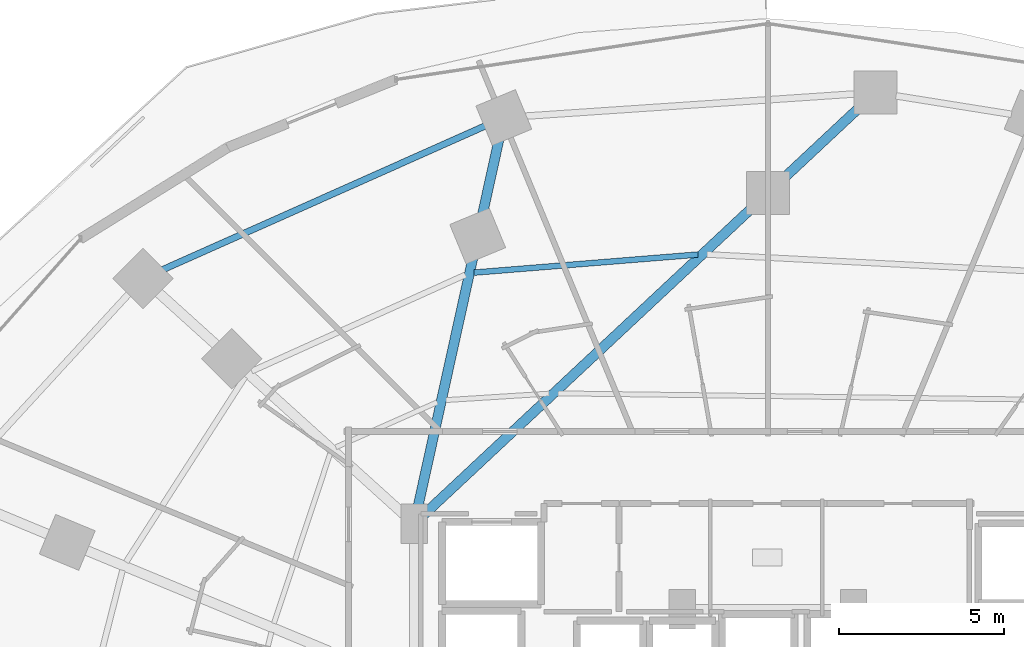
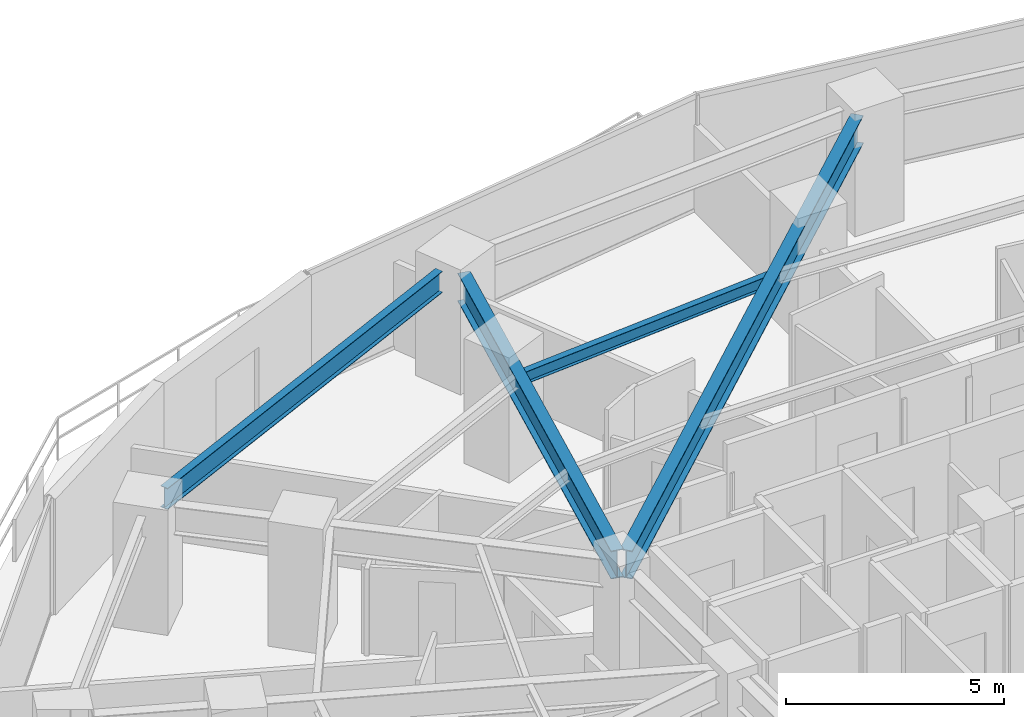
# One storey, part 21 of 36: 4 beams.
"""IFC4 building model written with IfcOpenShell, lengths in metres."""

from ifc_helpers import new_model, si_unit, direction, frame, origin, origin_2d, place, context, subcontext, project, spatial, i_section, extrude, material, material_profile, profile_set, type_object, element, save


model = new_model("IFC4")

# Units and contexts
model_context = context("Model", 3, precision=1e-05, world=origin(), true_north=direction((0.0, 1.0)))
body_context = subcontext(model_context, "Body", "Model", "MODEL_VIEW")
ifc_project = project(units=[si_unit("LENGTHUNIT", "METRE"), si_unit("AREAUNIT", "SQUARE_METRE"), si_unit("VOLUMEUNIT", "CUBIC_METRE"), si_unit("PLANEANGLEUNIT", "RADIAN"), si_unit("MASSUNIT", "GRAM", prefix="KILO")], contexts=[model_context])

# Site, building, storey
site_placement = place(None, origin())
site = spatial("IfcSite", under=ifc_project, at=site_placement, CompositionType="ELEMENT")
building_placement = place(site_placement, origin())
building = spatial("IfcBuilding", under=site, at=building_placement, Name="Vorneva Point Tower", CompositionType="ELEMENT")
storey_placement = place(building_placement, frame((0.0, 0.0, 24.0)))
storey = spatial("IfcBuildingStorey", under=building, at=storey_placement, Name="L05", CompositionType="ELEMENT", Elevation=24.0)

# Beams
ifc_material = material(Name="Steel S355", Category="steel")
ifc_material_profile_1 = material_profile(ifc_material, i_section(OverallWidth=0.300048828125, OverallDepth=0.7880859375, WebThickness=0.014404296875, FlangeThickness=0.02197265625, at=origin_2d()), Name="80Sh1")
ifc_profile_set_1 = profile_set([ifc_material_profile_1], Name="Steel S355")
beam_type_1 = type_object("IfcBeamType", Name="BM-GRD-80Sh1", PredefinedType="USERDEFINED", material=ifc_profile_set_1)
beam_1_placement = place(storey_placement, frame((40.799072265625, 45.81689453125, 2.845947265625), z_axis=(-0.730486513498, -0.682927121732, 0.0), x_axis=(0.682927121732, -0.730486513498, 0.0)))
element("IfcBeam", 1, at=beam_1_placement, inside=storey, type_object=beam_type_1, Name="L05 Radial Primary Girder 05", ObjectType="GIRDER", PredefinedType="USERDEFINED", context=body_context, shape_type="SweptSolid", body=[
    extrude(i_section(OverallWidth=0.300048828125, OverallDepth=0.7880859375, WebThickness=0.014404296875, FlangeThickness=0.02197265625, at=origin_2d()), origin(), (0.0, 0.0, 1.0), 18.2080078125),
])
beam_2_placement = place(storey_placement, frame((29.836181640625, 44.86865234375, 2.845947265625), z_axis=(-0.215504784711, -0.976502784311, 0.0), x_axis=(0.976502784311, -0.215504784711, 0.0)))
element("IfcBeam", 2, at=beam_2_placement, inside=storey, type_object=beam_type_1, Name="L05 Radial Primary Girder 06", ObjectType="GIRDER", PredefinedType="USERDEFINED", context=body_context, shape_type="SweptSolid", body=[
    extrude(i_section(OverallWidth=0.300048828125, OverallDepth=0.7880859375, WebThickness=0.014404296875, FlangeThickness=0.02197265625, at=origin_2d()), origin(), (0.0, 0.0, 1.0), 11.66064453125),
])
ifc_material_profile_2 = material_profile(ifc_material, i_section(OverallWidth=0.174072265625, OverallDepth=0.345947265625, WebThickness=0.006103515625, FlangeThickness=0.009033203125, at=origin_2d()), Name="35B1")
ifc_profile_set_2 = profile_set([ifc_material_profile_2], Name="Steel S355")
beam_type_2 = type_object("IfcBeamType", Name="BM-SEC-35B1", PredefinedType="BEAM", material=ifc_profile_set_2)
beam_3_placement = place(storey_placement, frame((35.873291015625, 41.329345703125, 3.06689453125), z_axis=(-0.996762753191, -0.080399091108, 0.0), x_axis=(0.080399091108, -0.996762753191, 0.0)))
element("IfcBeam", 3, at=beam_3_placement, inside=storey, type_object=beam_type_2, Name="L05 Secondary Floor Beam 1.05", PredefinedType="BEAM", context=body_context, shape_type="SweptSolid", body=[
    extrude(i_section(OverallWidth=0.174072265625, OverallDepth=0.345947265625, WebThickness=0.006103515625, FlangeThickness=0.009033203125, at=origin_2d()), origin(), (0.0, 0.0, 1.0), 6.826416015625),
])
ifc_material_profile_3 = material_profile(ifc_material, i_section(OverallWidth=0.198974609375, OverallDepth=0.595947265625, WebThickness=0.010009765625, FlangeThickness=0.014892578125, at=origin_2d()), Name="60B1")
ifc_profile_set_3 = profile_set([ifc_material_profile_3], Name="Steel S355")
beam_type_3 = type_object("IfcBeamType", Name="BM-SPN-60B1", PredefinedType="SPANDREL", material=ifc_profile_set_3)
beam_4_placement = place(storey_placement, frame((29.393798828125, 45.23291015625, 2.94189453125), z_axis=(-0.913329187558, -0.407222046499, 0.0), x_axis=(0.407222046499, -0.913329187558, 0.0)))
element("IfcBeam", 4, at=beam_4_placement, inside=storey, type_object=beam_type_3, Name="L05 Perimeter Spandrel Ring Beam 06", PredefinedType="SPANDREL", context=body_context, shape_type="SweptSolid", body=[
    extrude(i_section(OverallWidth=0.198974609375, OverallDepth=0.595947265625, WebThickness=0.010009765625, FlangeThickness=0.014892578125, at=origin_2d()), origin(), (0.0, 0.0, 1.0), 10.742431640625),
])

save(model, "model.ifc")
